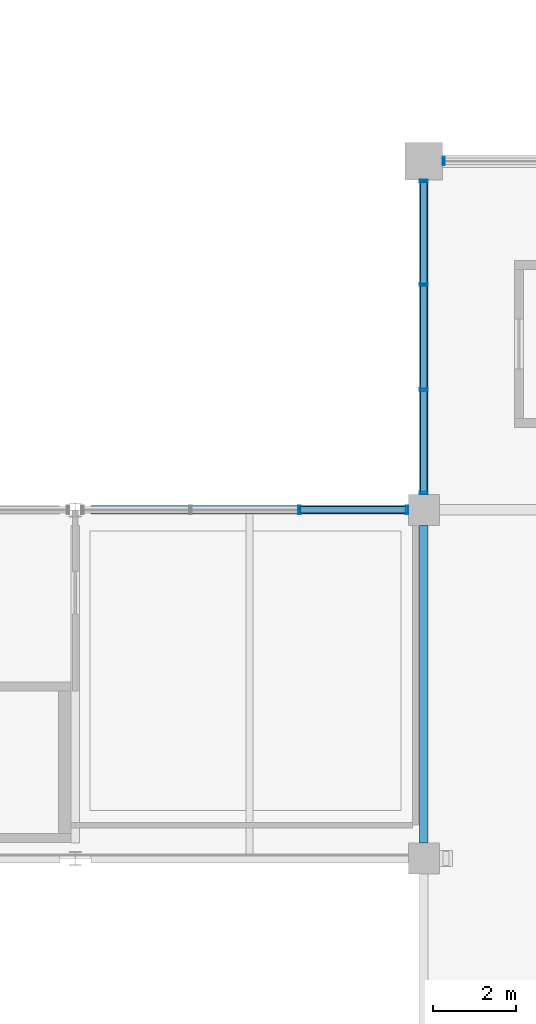
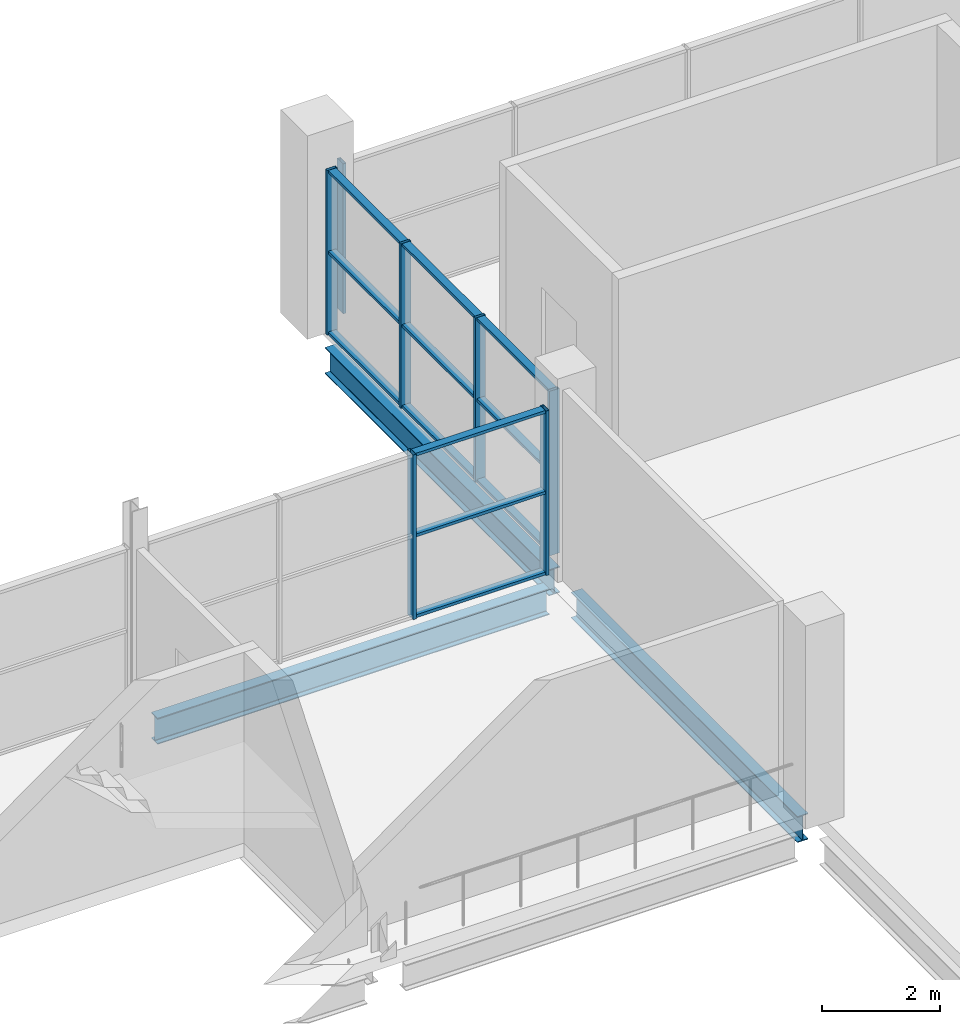
# One storey, part 52 of 161: 19 members, 3 beams, 3 elements without a shape of their own.
"""IFC4 building model written with IfcOpenShell, lengths in metres."""

from ifc_helpers import new_model, si_unit, direction, frame, origin, origin_2d, place, context, subcontext, project, spatial, hollow_rectangle, i_section, extrude, material, material_profile, profile_set, type_object, element, aggregate, save


model = new_model("IFC4")

# Units and contexts
model_context = context("Model", 3, precision=1e-05, world=origin(), true_north=direction((0.0, 1.0)))
body_context = subcontext(model_context, "Body", "Model", "MODEL_VIEW")
ifc_project = project(units=[si_unit("LENGTHUNIT", "METRE"), si_unit("AREAUNIT", "SQUARE_METRE"), si_unit("VOLUMEUNIT", "CUBIC_METRE"), si_unit("PLANEANGLEUNIT", "RADIAN"), si_unit("MASSUNIT", "GRAM", prefix="KILO"), si_unit("THERMODYNAMICTEMPERATUREUNIT", "KELVIN")], contexts=[model_context])

# Site, building, storey
site_placement = place(None, origin())
site = spatial("IfcSite", under=ifc_project, at=site_placement, CompositionType="ELEMENT")
building_placement = place(site_placement, origin())
building = spatial("IfcBuilding", under=site, at=building_placement, Name="Nduvali Passage Aquatics Centre", CompositionType="ELEMENT")
storey_placement = place(building_placement, frame((0.0, 0.0, 4.800048828125)))
storey = spatial("IfcBuildingStorey", under=building, at=storey_placement, Name="L01", CompositionType="ELEMENT", Elevation=4.800048828125)

# Curtain wall, members
ifc_material_1 = material(Name="Aluminium EN AW-6063 T6", Category="aluminium")
curtain_wall_type_1 = type_object("IfcCurtainWallType", Name="ENV-CW-HALL", PredefinedType="NOTDEFINED", material=ifc_material_1)
curtain_wall_1_placement = place(storey_placement, origin())
curtain_wall_1 = element("IfcCurtainWall", 1, at=curtain_wall_1_placement, inside=storey, type_object=curtain_wall_type_1, Name="L01 West Pool Hall Gallery Glazing 012", PredefinedType="NOTDEFINED")
ifc_material_profile_1 = material_profile(ifc_material_1, hollow_rectangle(XDim=0.06005859375, YDim=0.199951171875, WallThickness=0.00390625, at=origin_2d()), Name="ALU MULLION 60x200x4")
ifc_profile_set_1 = profile_set([ifc_material_profile_1], Name="Aluminium EN AW-6063 T6")
member_type_1 = type_object("IfcMemberType", Name="ENV-MEM-MUL80", PredefinedType="MULLION", material=ifc_profile_set_1)
member_1_placement = place(storey_placement, frame((25.199951171875, 84.405029296875, 0.0), z_axis=(0.0, 0.0, 1.0), x_axis=(0.0, 1.0, 0.0)))
member_1 = element("IfcMember", 2, at=member_1_placement, type_object=member_type_1, Name="West Pool Hall Gallery Glazing Mullion 1", PredefinedType="MULLION", context=body_context, shape_type="SweptSolid", body=[
    extrude(hollow_rectangle(XDim=0.06005859375, YDim=0.199951171875, WallThickness=0.00390625, at=origin_2d()), origin(), (0.0, 0.0, 1.0), 3.396484375),
])
member_2_placement = place(storey_placement, frame((25.199951171875, 86.89990234375, 0.0), z_axis=(0.0, 0.0, 1.0), x_axis=(0.0, 1.0, 0.0)))
member_2 = element("IfcMember", 3, at=member_2_placement, type_object=member_type_1, Name="West Pool Hall Gallery Glazing Mullion 2", PredefinedType="MULLION", context=body_context, shape_type="SweptSolid", body=[
    extrude(hollow_rectangle(XDim=0.06005859375, YDim=0.199951171875, WallThickness=0.00390625, at=origin_2d()), origin(), (0.0, 0.0, 1.0), 3.396484375),
])
member_3_placement = place(storey_placement, frame((25.199951171875, 89.425048828125, 0.0), z_axis=(0.0, 0.0, 1.0), x_axis=(0.0, 1.0, 0.0)))
member_3 = element("IfcMember", 4, at=member_3_placement, type_object=member_type_1, Name="West Pool Hall Gallery Glazing Mullion 3", PredefinedType="MULLION", context=body_context, shape_type="SweptSolid", body=[
    extrude(hollow_rectangle(XDim=0.06005859375, YDim=0.199951171875, WallThickness=0.00390625, at=origin_2d()), origin(), (0.0, 0.0, 1.0), 3.396484375),
])
member_4_placement = place(storey_placement, frame((25.199951171875, 91.919921875, 0.0), z_axis=(0.0, 0.0, 1.0), x_axis=(0.0, 1.0, 0.0)))
member_4 = element("IfcMember", 5, at=member_4_placement, type_object=member_type_1, Name="West Pool Hall Gallery Glazing Mullion 4", PredefinedType="MULLION", context=body_context, shape_type="SweptSolid", body=[
    extrude(hollow_rectangle(XDim=0.06005859375, YDim=0.199951171875, WallThickness=0.00390625, at=origin_2d()), origin(), (0.0, 0.0, 1.0), 3.396484375),
])

# Curtain wall, member
curtain_wall_2_placement = place(storey_placement, origin())
curtain_wall_2 = element("IfcCurtainWall", 6, at=curtain_wall_2_placement, inside=storey, type_object=curtain_wall_type_1, Name="L01 North Pool Hall Corner CW 054", PredefinedType="NOTDEFINED")
member_5_placement = place(storey_placement, frame((25.679931640625, 92.39990234375, 0.0), z_axis=(0.0, 0.0, 1.0), x_axis=(1.0, 0.0, 0.0)))
member_5 = element("IfcMember", 7, at=member_5_placement, type_object=member_type_1, Name="North Pool Hall Corner CW Mullion 1", PredefinedType="MULLION", context=body_context, shape_type="SweptSolid", body=[
    extrude(hollow_rectangle(XDim=0.06005859375, YDim=0.199951171875, WallThickness=0.00390625, at=origin_2d()), origin(), (0.0, 0.0, 1.0), 3.09521484375),
])
aggregate(curtain_wall_2, [member_5])

# Curtain wall, members
curtain_wall_type_2 = type_object("IfcCurtainWallType", Name="ENV-CW-DIVE", PredefinedType="NOTDEFINED", material=ifc_material_1)
curtain_wall_3_placement = place(storey_placement, origin())
curtain_wall_3 = element("IfcCurtainWall", 8, at=curtain_wall_3_placement, inside=storey, type_object=curtain_wall_type_2, Name="L01 Diving Gallery Clerestory CW 159", PredefinedType="NOTDEFINED")
member_6_placement = place(storey_placement, frame((22.199951171875, 84.0, 0.0), z_axis=(0.0, 0.0, 1.0), x_axis=(1.0, 0.0, 0.0)))
member_6 = element("IfcMember", 9, at=member_6_placement, type_object=member_type_1, Name="Diving Gallery Clerestory CW Mullion 3", PredefinedType="MULLION", context=body_context, shape_type="SweptSolid", body=[
    extrude(hollow_rectangle(XDim=0.06005859375, YDim=0.199951171875, WallThickness=0.00390625, at=origin_2d()), origin(), (0.0, 0.0, 1.0), 3.396484375),
])
member_7_placement = place(storey_placement, frame((24.794921875, 84.0, 0.0), z_axis=(0.0, 0.0, 1.0), x_axis=(1.0, 0.0, 0.0)))
member_7 = element("IfcMember", 10, at=member_7_placement, type_object=member_type_1, Name="Diving Gallery Clerestory CW Mullion 4", PredefinedType="MULLION", context=body_context, shape_type="SweptSolid", body=[
    extrude(hollow_rectangle(XDim=0.06005859375, YDim=0.199951171875, WallThickness=0.00390625, at=origin_2d()), origin(), (0.0, 0.0, 1.0), 3.396484375),
])

# Member
ifc_material_profile_2 = material_profile(ifc_material_1, hollow_rectangle(XDim=0.14990234375, YDim=0.06005859375, WallThickness=0.00390625, at=origin_2d()), Name="ALU TRANSOM 150x60x4")
ifc_profile_set_2 = profile_set([ifc_material_profile_2], Name="Aluminium EN AW-6063 T6")
member_type_2 = type_object("IfcMemberType", Name="ENV-MEM-TRN80", PredefinedType="USERDEFINED", material=ifc_profile_set_2)
member_8_placement = place(storey_placement, frame((25.199951171875, 84.43505859375, 0.030029296875), z_axis=(0.0, 1.0, 0.0), x_axis=(-1.0, 0.0, 0.0)))
member_8 = element("IfcMember", 11, at=member_8_placement, type_object=member_type_2, Name="West Pool Hall Gallery Glazing Transom B1-R0", ObjectType="TRANSOM", PredefinedType="USERDEFINED", context=body_context, shape_type="SweptSolid", body=[
    extrude(hollow_rectangle(XDim=0.14990234375, YDim=0.06005859375, WallThickness=0.00390625, at=origin_2d()), origin(), (0.0, 0.0, 1.0), 2.43505859375),
])

member_9_placement = place(storey_placement, frame((25.199951171875, 84.43505859375, 1.6982421875), z_axis=(0.0, 1.0, 0.0), x_axis=(-1.0, 0.0, 0.0)))
member_9 = element("IfcMember", 12, at=member_9_placement, type_object=member_type_2, Name="West Pool Hall Gallery Glazing Transom B1-R1", ObjectType="TRANSOM", PredefinedType="USERDEFINED", context=body_context, shape_type="SweptSolid", body=[
    extrude(hollow_rectangle(XDim=0.14990234375, YDim=0.06005859375, WallThickness=0.00390625, at=origin_2d()), origin(), (0.0, 0.0, 1.0), 2.43505859375),
])

member_10_placement = place(storey_placement, frame((25.199951171875, 84.43505859375, 3.366455078125), z_axis=(0.0, 1.0, 0.0), x_axis=(-1.0, 0.0, 0.0)))
member_10 = element("IfcMember", 13, at=member_10_placement, type_object=member_type_2, Name="West Pool Hall Gallery Glazing Transom B1-R2", ObjectType="TRANSOM", PredefinedType="USERDEFINED", context=body_context, shape_type="SweptSolid", body=[
    extrude(hollow_rectangle(XDim=0.14990234375, YDim=0.06005859375, WallThickness=0.00390625, at=origin_2d()), origin(), (0.0, 0.0, 1.0), 2.43505859375),
])

member_11_placement = place(storey_placement, frame((25.199951171875, 86.929931640625, 0.030029296875), z_axis=(0.0, 1.0, 0.0), x_axis=(-1.0, 0.0, 0.0)))
member_11 = element("IfcMember", 14, at=member_11_placement, type_object=member_type_2, Name="West Pool Hall Gallery Glazing Transom B2-R0", ObjectType="TRANSOM", PredefinedType="USERDEFINED", context=body_context, shape_type="SweptSolid", body=[
    extrude(hollow_rectangle(XDim=0.14990234375, YDim=0.06005859375, WallThickness=0.00390625, at=origin_2d()), origin(), (0.0, 0.0, 1.0), 2.465087890625),
])

member_12_placement = place(storey_placement, frame((25.199951171875, 86.929931640625, 1.6982421875), z_axis=(0.0, 1.0, 0.0), x_axis=(-1.0, 0.0, 0.0)))
member_12 = element("IfcMember", 15, at=member_12_placement, type_object=member_type_2, Name="West Pool Hall Gallery Glazing Transom B2-R1", ObjectType="TRANSOM", PredefinedType="USERDEFINED", context=body_context, shape_type="SweptSolid", body=[
    extrude(hollow_rectangle(XDim=0.14990234375, YDim=0.06005859375, WallThickness=0.00390625, at=origin_2d()), origin(), (0.0, 0.0, 1.0), 2.465087890625),
])

member_13_placement = place(storey_placement, frame((25.199951171875, 86.929931640625, 3.366455078125), z_axis=(0.0, 1.0, 0.0), x_axis=(-1.0, 0.0, 0.0)))
member_13 = element("IfcMember", 16, at=member_13_placement, type_object=member_type_2, Name="West Pool Hall Gallery Glazing Transom B2-R2", ObjectType="TRANSOM", PredefinedType="USERDEFINED", context=body_context, shape_type="SweptSolid", body=[
    extrude(hollow_rectangle(XDim=0.14990234375, YDim=0.06005859375, WallThickness=0.00390625, at=origin_2d()), origin(), (0.0, 0.0, 1.0), 2.465087890625),
])

member_14_placement = place(storey_placement, frame((25.199951171875, 89.455078125, 0.030029296875), z_axis=(0.0, 1.0, 0.0), x_axis=(-1.0, 0.0, 0.0)))
member_14 = element("IfcMember", 17, at=member_14_placement, type_object=member_type_2, Name="West Pool Hall Gallery Glazing Transom B3-R0", ObjectType="TRANSOM", PredefinedType="USERDEFINED", context=body_context, shape_type="SweptSolid", body=[
    extrude(hollow_rectangle(XDim=0.14990234375, YDim=0.06005859375, WallThickness=0.00390625, at=origin_2d()), origin(), (0.0, 0.0, 1.0), 2.434814453125),
])

member_15_placement = place(storey_placement, frame((25.199951171875, 89.455078125, 1.6982421875), z_axis=(0.0, 1.0, 0.0), x_axis=(-1.0, 0.0, 0.0)))
member_15 = element("IfcMember", 18, at=member_15_placement, type_object=member_type_2, Name="West Pool Hall Gallery Glazing Transom B3-R1", ObjectType="TRANSOM", PredefinedType="USERDEFINED", context=body_context, shape_type="SweptSolid", body=[
    extrude(hollow_rectangle(XDim=0.14990234375, YDim=0.06005859375, WallThickness=0.00390625, at=origin_2d()), origin(), (0.0, 0.0, 1.0), 2.434814453125),
])

member_16_placement = place(storey_placement, frame((25.199951171875, 89.455078125, 3.366455078125), z_axis=(0.0, 1.0, 0.0), x_axis=(-1.0, 0.0, 0.0)))
member_16 = element("IfcMember", 19, at=member_16_placement, type_object=member_type_2, Name="West Pool Hall Gallery Glazing Transom B3-R2", ObjectType="TRANSOM", PredefinedType="USERDEFINED", context=body_context, shape_type="SweptSolid", body=[
    extrude(hollow_rectangle(XDim=0.14990234375, YDim=0.06005859375, WallThickness=0.00390625, at=origin_2d()), origin(), (0.0, 0.0, 1.0), 2.434814453125),
])

aggregate(curtain_wall_1, [member_1, member_2, member_3, member_4, member_8, member_9, member_10, member_11, member_12, member_13, member_14, member_15, member_16])

member_17_placement = place(storey_placement, frame((22.22998046875, 84.0, 0.030029296875), z_axis=(1.0, 0.0, 0.0), x_axis=(0.0, 1.0, 0.0)))
member_17 = element("IfcMember", 20, at=member_17_placement, type_object=member_type_2, Name="Diving Gallery Clerestory CW Transom B3-R0", ObjectType="TRANSOM", PredefinedType="USERDEFINED", context=body_context, shape_type="SweptSolid", body=[
    extrude(hollow_rectangle(XDim=0.14990234375, YDim=0.06005859375, WallThickness=0.00390625, at=origin_2d()), origin(), (0.0, 0.0, 1.0), 2.534912109375),
])

member_18_placement = place(storey_placement, frame((22.22998046875, 84.0, 1.6982421875), z_axis=(1.0, 0.0, 0.0), x_axis=(0.0, 1.0, 0.0)))
member_18 = element("IfcMember", 21, at=member_18_placement, type_object=member_type_2, Name="Diving Gallery Clerestory CW Transom B3-R1", ObjectType="TRANSOM", PredefinedType="USERDEFINED", context=body_context, shape_type="SweptSolid", body=[
    extrude(hollow_rectangle(XDim=0.14990234375, YDim=0.06005859375, WallThickness=0.00390625, at=origin_2d()), origin(), (0.0, 0.0, 1.0), 2.534912109375),
])

member_19_placement = place(storey_placement, frame((22.22998046875, 84.0, 3.366455078125), z_axis=(1.0, 0.0, 0.0), x_axis=(0.0, 1.0, 0.0)))
member_19 = element("IfcMember", 22, at=member_19_placement, type_object=member_type_2, Name="Diving Gallery Clerestory CW Transom B3-R2", ObjectType="TRANSOM", PredefinedType="USERDEFINED", context=body_context, shape_type="SweptSolid", body=[
    extrude(hollow_rectangle(XDim=0.14990234375, YDim=0.06005859375, WallThickness=0.00390625, at=origin_2d()), origin(), (0.0, 0.0, 1.0), 2.534912109375),
])

aggregate(curtain_wall_3, [member_6, member_7, member_17, member_18, member_19])

# Beams
ifc_material_2 = material(Name="Steel S355", Category="steel")
ifc_material_profile_3 = material_profile(ifc_material_2, i_section(OverallWidth=0.210693359375, OverallDepth=0.53955078125, WebThickness=0.01171875, FlangeThickness=0.018798828125, FilletRadius=0.0126953125, at=origin_2d()), Name="UKB 533x210x109")
ifc_profile_set_3 = profile_set([ifc_material_profile_3], Name="Steel S355")
beam_type_1 = type_object("IfcBeamType", Name="STR-BM-UKB533", PredefinedType="BEAM", material=ifc_profile_set_3)
beam_1_placement = place(storey_placement, frame((17.175048828125, 84.0, -0.553955078125), z_axis=(1.0, 0.0, 0.0), x_axis=(0.0, 1.0, 0.0)))
element("IfcBeam", 23, at=beam_1_placement, inside=storey, type_object=beam_type_1, Name="L01 Primary X-Girder B6-0510", PredefinedType="BEAM", context=body_context, shape_type="SweptSolid", body=[
    extrude(i_section(OverallWidth=0.210693359375, OverallDepth=0.53955078125, WebThickness=0.01171875, FlangeThickness=0.018798828125, FilletRadius=0.0126953125, at=origin_2d()), origin(), (0.0, 0.0, 1.0), 7.64990234375),
])
ifc_material_profile_4 = material_profile(ifc_material_2, i_section(OverallWidth=0.210693359375, OverallDepth=0.53955078125, WebThickness=0.01171875, FlangeThickness=0.018798828125, FilletRadius=0.0126953125, at=origin_2d()), Name="UKB 533x210x109")
ifc_profile_set_4 = profile_set([ifc_material_profile_4], Name="Steel S355")
beam_type_2 = type_object("IfcBeamType", Name="STR-BM-UKB533-EXT", PredefinedType="BEAM", material=ifc_profile_set_4)
beam_2_placement = place(storey_placement, frame((25.199951171875, 75.97509765625, -0.553955078125), z_axis=(0.0, 1.0, 0.0), x_axis=(-1.0, 0.0, 0.0)))
element("IfcBeam", 24, at=beam_2_placement, inside=storey, type_object=beam_type_2, Name="L01 Primary Y-Girder B6E-0574", PredefinedType="BEAM", context=body_context, shape_type="SweptSolid", body=[
    extrude(i_section(OverallWidth=0.210693359375, OverallDepth=0.53955078125, WebThickness=0.01171875, FlangeThickness=0.018798828125, FilletRadius=0.0126953125, at=origin_2d()), origin(), (0.0, 0.0, 1.0), 7.64990234375),
])
beam_3_placement = place(storey_placement, frame((25.199951171875, 84.375, -0.553955078125), z_axis=(0.0, 1.0, 0.0), x_axis=(-1.0, 0.0, 0.0)))
element("IfcBeam", 25, at=beam_3_placement, inside=storey, type_object=beam_type_2, Name="L01 Primary Y-Girder B6E-0575", PredefinedType="BEAM", context=body_context, shape_type="SweptSolid", body=[
    extrude(i_section(OverallWidth=0.210693359375, OverallDepth=0.53955078125, WebThickness=0.01171875, FlangeThickness=0.018798828125, FilletRadius=0.0126953125, at=origin_2d()), origin(), (0.0, 0.0, 1.0), 7.574951171875),
])

save(model, "model.ifc")
